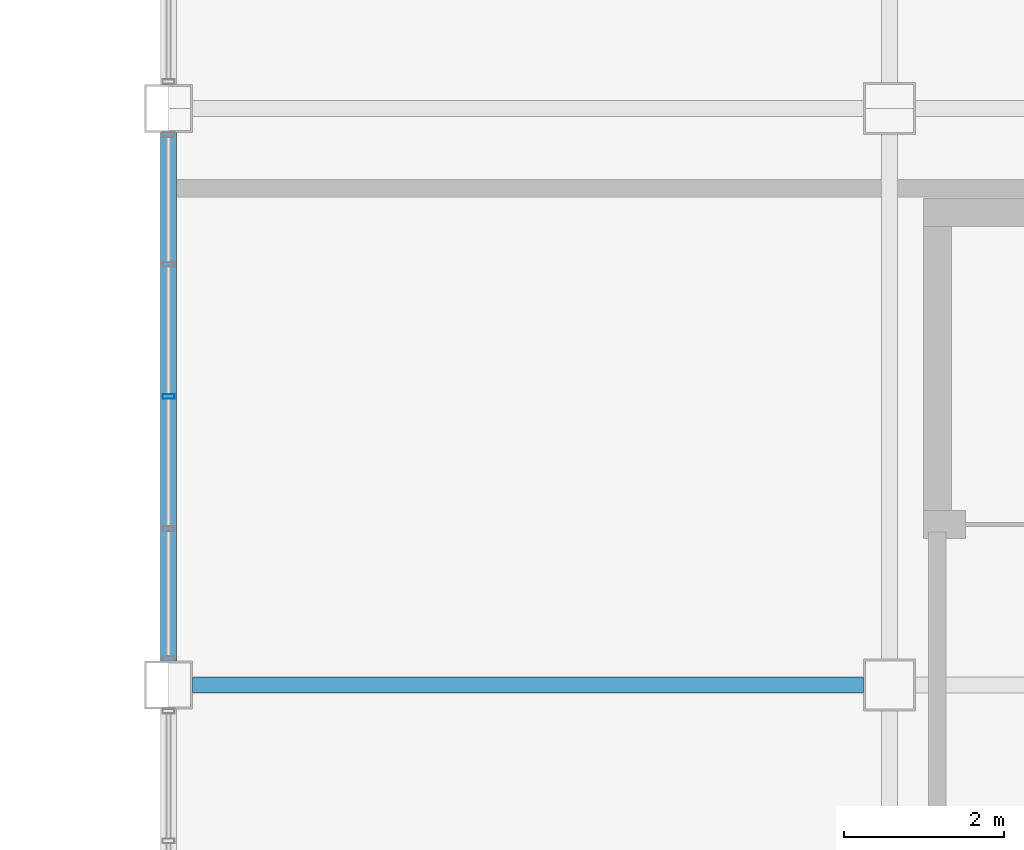
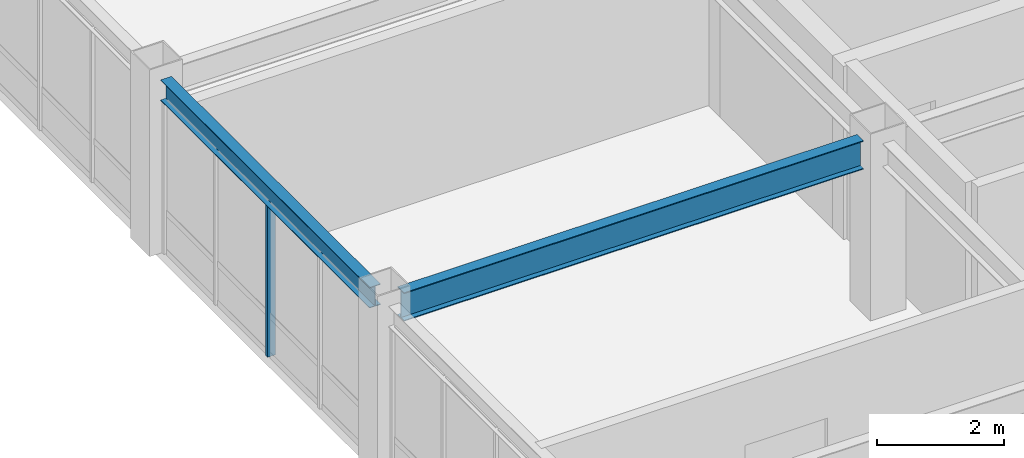
# One storey, part 18 of 34: 2 beams, 1 member, 1 element without a shape of its own.
"""IFC4 building model written with IfcOpenShell, lengths in metres."""

from ifc_helpers import new_model, si_unit, direction, frame, origin, origin_2d, place, context, subcontext, project, spatial, hollow_rectangle, i_section, extrude, material, material_profile, profile_set, type_object, element, aggregate, save


model = new_model("IFC4")

# Units and contexts
model_context = context("Model", 3, precision=1e-05, world=origin(), true_north=direction((0.0, 1.0)))
body_context = subcontext(model_context, "Body", "Model", "MODEL_VIEW")
ifc_project = project(units=[si_unit("LENGTHUNIT", "METRE"), si_unit("AREAUNIT", "SQUARE_METRE"), si_unit("VOLUMEUNIT", "CUBIC_METRE"), si_unit("PLANEANGLEUNIT", "RADIAN"), si_unit("MASSUNIT", "GRAM", prefix="KILO")], contexts=[model_context])

# Site, building, storey
site_placement = place(None, origin())
site = spatial("IfcSite", under=ifc_project, at=site_placement, CompositionType="ELEMENT")
building_placement = place(site_placement, origin())
building = spatial("IfcBuilding", under=site, at=building_placement, Name="Kazanami Central Library", CompositionType="ELEMENT")
storey_placement = place(building_placement, frame((0.0, 0.0, 17.0)))
storey = spatial("IfcBuildingStorey", under=building, at=storey_placement, Name="L05", CompositionType="ELEMENT", Elevation=17.0)

# Beams
ifc_material_1 = material(Name="Steel SN490B (325 MPa)", Category="steel")
ifc_material_profile_1 = material_profile(ifc_material_1, i_section(OverallWidth=0.199951171875, OverallDepth=0.550048828125, WebThickness=0.010009765625, FlangeThickness=0.01611328125, at=origin_2d()), Name="H-550x200x10x16")
ifc_profile_set_1 = profile_set([ifc_material_profile_1], Name="Steel SN490B (325 MPa)")
beam_type_1 = type_object("IfcBeamType", Name="BM-G-X3", PredefinedType="BEAM", material=ifc_profile_set_1)
beam_1_placement = place(storey_placement, frame((117.298095703125, 79.199951171875, 3.06494140625), z_axis=(1.0, 0.0, 0.0), x_axis=(0.0, 1.0, 0.0)))
element("IfcBeam", 1, at=beam_1_placement, inside=storey, type_object=beam_type_1, Name="Girder G-X3 L05 M/14-15", PredefinedType="BEAM", context=body_context, shape_type="SweptSolid", body=[
    extrude(i_section(OverallWidth=0.199951171875, OverallDepth=0.550048828125, WebThickness=0.010009765625, FlangeThickness=0.01611328125, at=origin_2d()), origin(), (0.0, 0.0, 1.0), 8.37890625),
])
ifc_material_profile_2 = material_profile(ifc_material_1, i_section(OverallWidth=0.199951171875, OverallDepth=0.39990234375, WebThickness=0.008056640625, FlangeThickness=0.012939453125, at=origin_2d()), Name="H-400x200x8x13")
ifc_profile_set_2 = profile_set([ifc_material_profile_2], Name="Steel SN490B (325 MPa)")
beam_type_2 = type_object("IfcBeamType", Name="BM-SP-3", PredefinedType="SPANDREL", material=ifc_profile_set_2)
beam_2_placement = place(storey_placement, frame((117.0, 79.498046875, 3.139892578125), z_axis=(0.0, 1.0, 0.0), x_axis=(-1.0, 0.0, 0.0)))
element("IfcBeam", 2, at=beam_2_placement, inside=storey, type_object=beam_type_2, Name="Girder SP-3 L05 14/M-N", PredefinedType="SPANDREL", context=body_context, shape_type="SweptSolid", body=[
    extrude(i_section(OverallWidth=0.199951171875, OverallDepth=0.39990234375, WebThickness=0.008056640625, FlangeThickness=0.012939453125, at=origin_2d()), origin(), (0.0, 0.0, 1.0), 6.60400390625),
])

# Curtain wall, member
ifc_material_2 = material(Name="Acid-Etched Low-E Laminated Glass", Category="glass")
curtain_wall_type = type_object("IfcCurtainWallType", Name="CW-6600x2940-M180", PredefinedType="USERDEFINED", material=ifc_material_2)
curtain_wall_placement = place(storey_placement, origin())
curtain_wall = element("IfcCurtainWall", 3, at=curtain_wall_placement, inside=storey, type_object=curtain_wall_type, Name="Covered Link Bridge Curtain Wall CW-54 L05 W-14-11", ObjectType="UNITISED CURTAIN WALL", PredefinedType="USERDEFINED")
ifc_material_3 = material(Name="Anodised Aluminium A6063-T5", Category="aluminium")
ifc_material_profile_3 = material_profile(ifc_material_3, hollow_rectangle(XDim=0.06005859375, YDim=0.14990234375, WallThickness=0.00390625, at=origin_2d()), Name="ALU-MULL-60x150x4")
ifc_profile_set_3 = profile_set([ifc_material_profile_3], Name="Anodised Aluminium A6063-T5")
member_type = type_object("IfcMemberType", Name="MEM-CW-M3", PredefinedType="MULLION", material=ifc_profile_set_3)
member_placement = place(storey_placement, frame((117.0, 82.800048828125, 0.0), z_axis=(0.0, 0.0, 1.0), x_axis=(0.0, 1.0, 0.0)))
member = element("IfcMember", 4, at=member_placement, type_object=member_type, Name="CW-54 mullion 3", PredefinedType="MULLION", context=body_context, shape_type="SweptSolid", body=[
    extrude(hollow_rectangle(XDim=0.06005859375, YDim=0.14990234375, WallThickness=0.00390625, at=origin_2d()), origin(), (0.0, 0.0, 1.0), 2.93994140625),
])
aggregate(curtain_wall, [member])

save(model, "model.ifc")
